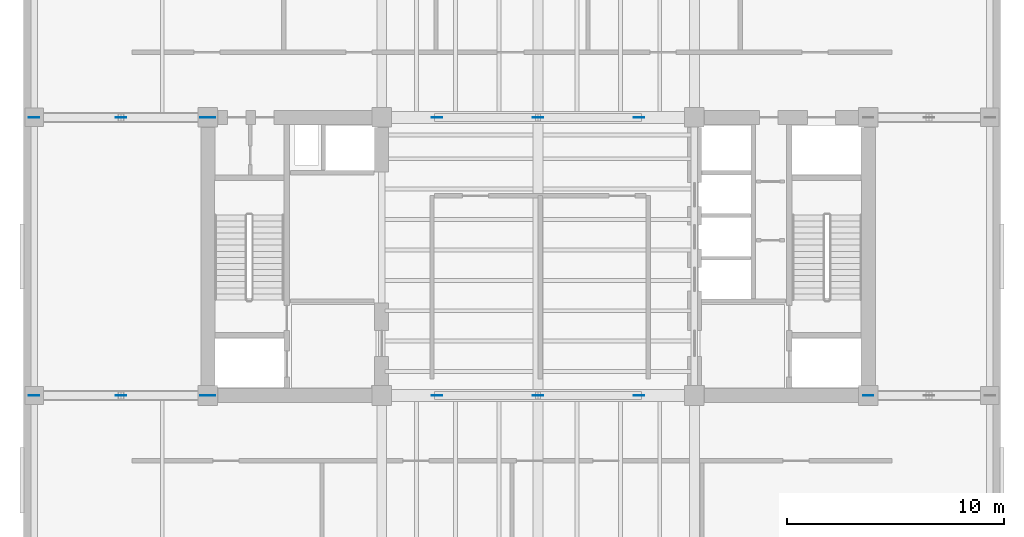
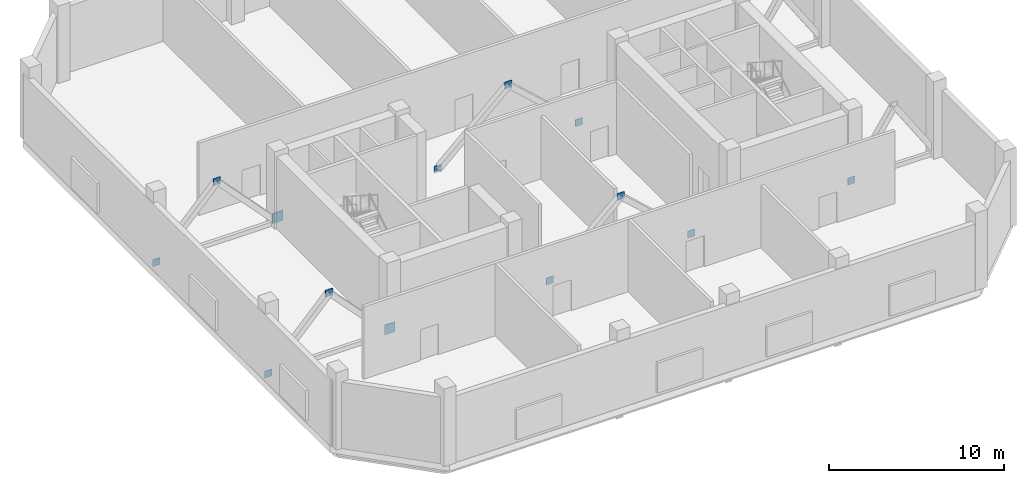
# One storey, part 3 of 9: 13 plates.
"""IFC4 building model written with IfcOpenShell, lengths in metres."""

from ifc_helpers import new_model, si_unit, direction, frame, origin, origin_2d, place, context, subcontext, project, spatial, rectangle, extrude, material, layer, layer_set, type_object, element, save


model = new_model("IFC4")

# Units and contexts
model_context = context("Model", 3, precision=1e-05, world=origin(), true_north=direction((0.0, 1.0)))
body_context = subcontext(model_context, "Body", "Model", "MODEL_VIEW")
ifc_project = project(units=[si_unit("LENGTHUNIT", "METRE"), si_unit("AREAUNIT", "SQUARE_METRE"), si_unit("VOLUMEUNIT", "CUBIC_METRE"), si_unit("PLANEANGLEUNIT", "RADIAN"), si_unit("MASSUNIT", "GRAM", prefix="KILO")], contexts=[model_context])

# Site, building, storey
site_placement = place(None, origin())
site = spatial("IfcSite", under=ifc_project, at=site_placement, CompositionType="ELEMENT")
building_placement = place(site_placement, origin())
building = spatial("IfcBuilding", under=site, at=building_placement, Name="Kranthara Brick Stack", CompositionType="ELEMENT")
storey_placement = place(building_placement, frame((0.0, 0.0, 197.300048828125)))
storey = spatial("IfcBuildingStorey", under=building, at=storey_placement, Name="L51", CompositionType="ELEMENT", Elevation=197.300048828125)

# Plates
ifc_material = material(Name="Steel S355", Category="steel")
ifc_layer = layer(ifc_material, 0.030029296875)
ifc_layer_set = layer_set([ifc_layer], Name="Steel S355")
plate_type = type_object("IfcPlateType", Name="PLT-GUSSET-30", PredefinedType="USERDEFINED", material=ifc_layer_set)
for number, where, z_axis, x_axis, name in (
    (1, (12.800048828125, 20.800048828125, 0.10009765625), (0.0, 0.0, 1.0), (1.0, 0.0, 0.0), "L51 Outrigger Core Gusset Plate 1"),
    (2, (12.800048828125, 33.60009765625, 0.10009765625), (0.0, 0.0, 1.0), (1.0, 0.0, 0.0), "L51 Outrigger Core Gusset Plate 2"),
):
    element("IfcPlate", number, at=place(storey_placement, frame(where, z_axis=z_axis, x_axis=x_axis)), inside=storey, type_object=plate_type, Name=name, ObjectType="GUSSET PLATE", PredefinedType="USERDEFINED", context=body_context, shape_type="SweptSolid", body=[
        extrude(rectangle(XDim=0.699951171875, YDim=0.030029296875, at=origin_2d()), origin(), (0.0, 0.0, 1.0), 0.699951171875),
    ])
for number, where, z_axis, x_axis, name in (
    (3, (8.800048828125, 20.800048828125, 4.099853515625), (0.0, 0.0, 1.0), (1.0, 0.0, 0.0), "L51 Brace and Strut End Connection Gusset Plate 166"),
    (4, (8.800048828125, 33.60009765625, 4.099853515625), (0.0, 0.0, 1.0), (1.0, 0.0, 0.0), "L51 Brace and Strut End Connection Gusset Plate 167"),
    (5, (43.199951171875, 20.800048828125, -0.14013671875), (0.0, 0.0, 1.0), (1.0, 0.0, 0.0), "L51 Brace and Strut End Connection Gusset Plate 168"),
    (6, (4.800048828125, 20.800048828125, -0.14013671875), (0.0, 0.0, 1.0), (1.0, 0.0, 0.0), "L51 Brace and Strut End Connection Gusset Plate 172"),
    (7, (4.800048828125, 33.60009765625, -0.14013671875), (0.0, 0.0, 1.0), (1.0, 0.0, 0.0), "L51 Brace and Strut End Connection Gusset Plate 173"),
    (8, (23.35009765625, 20.800048828125, -0.14013671875), (0.0, 0.0, 1.0), (1.0, 0.0, 0.0), "L51 Brace and Strut End Connection Gusset Plate 176"),
    (9, (28.0, 20.800048828125, 4.099853515625), (0.0, 0.0, 1.0), (1.0, 0.0, 0.0), "L51 Brace and Strut End Connection Gusset Plate 177"),
    (10, (32.64990234375, 20.800048828125, -0.14013671875), (0.0, 0.0, 1.0), (1.0, 0.0, 0.0), "L51 Brace and Strut End Connection Gusset Plate 178"),
    (11, (23.35009765625, 33.60009765625, -0.14013671875), (0.0, 0.0, 1.0), (1.0, 0.0, 0.0), "L51 Brace and Strut End Connection Gusset Plate 179"),
    (12, (28.0, 33.60009765625, 4.099853515625), (0.0, 0.0, 1.0), (1.0, 0.0, 0.0), "L51 Brace and Strut End Connection Gusset Plate 180"),
    (13, (32.64990234375, 33.60009765625, -0.14013671875), (0.0, 0.0, 1.0), (1.0, 0.0, 0.0), "L51 Brace and Strut End Connection Gusset Plate 181"),
):
    element("IfcPlate", number, at=place(storey_placement, frame(where, z_axis=z_axis, x_axis=x_axis)), inside=storey, type_object=plate_type, Name=name, ObjectType="GUSSET PLATE", PredefinedType="USERDEFINED", context=body_context, shape_type="SweptSolid", body=[
        extrude(rectangle(XDim=0.47998046875, YDim=0.030029296875, at=origin_2d()), origin(), (0.0, 0.0, 1.0), 0.47998046875),
    ])

save(model, "model.ifc")
